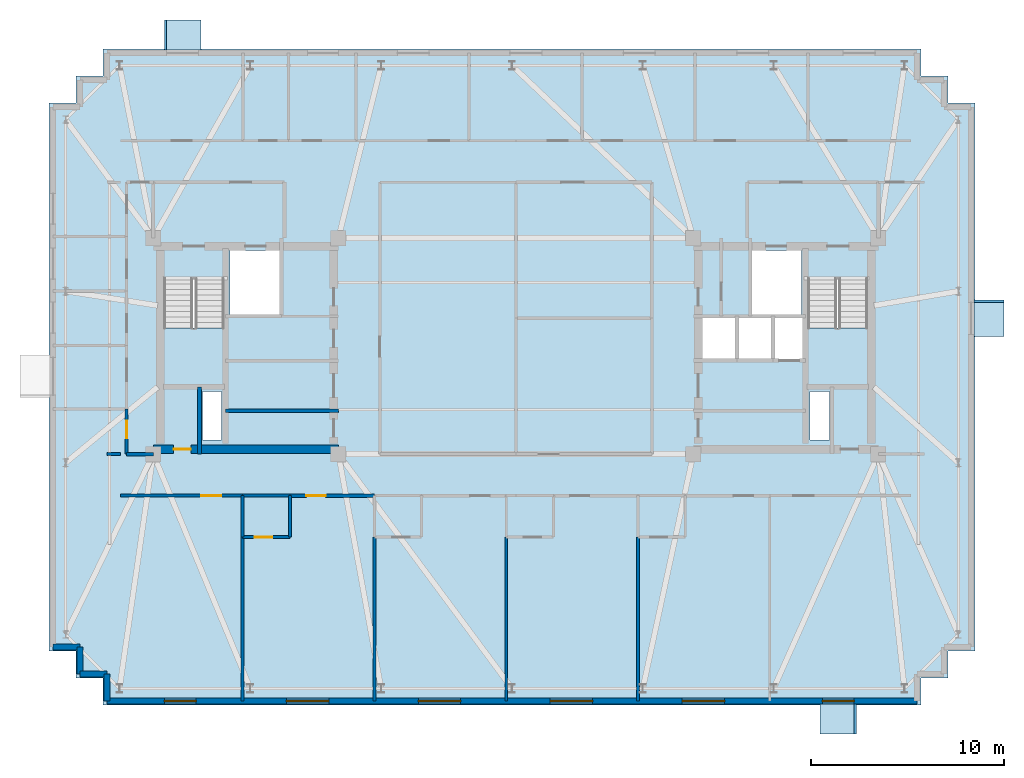
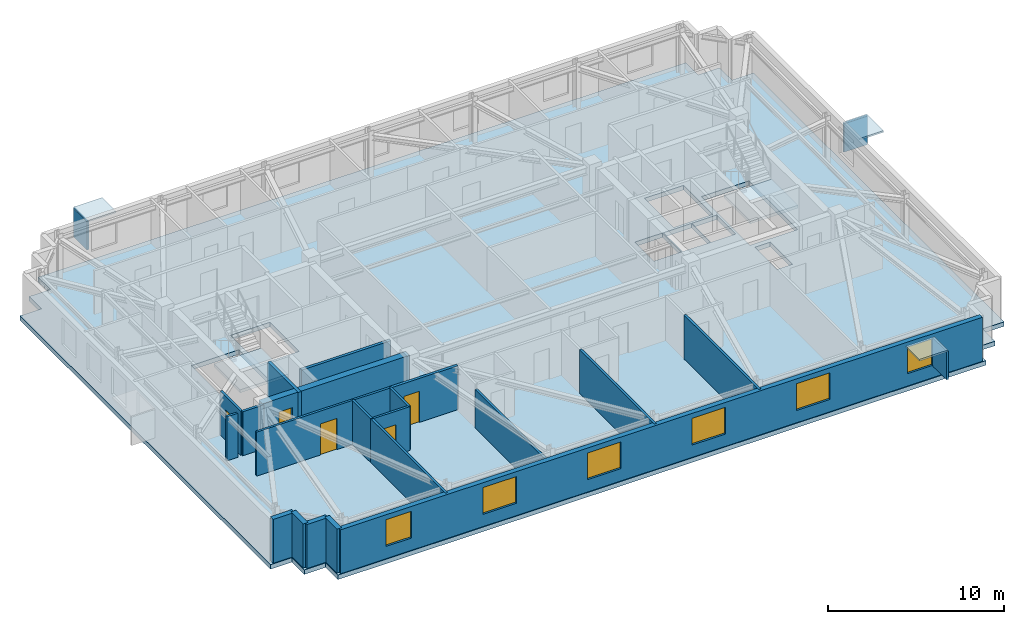
# One storey, part 5 of 11: 21 walls, 6 plates, 6 windows, 5 doors, 3 slabs, 11 openings, 2 elements without a shape of their own.
"""IFC4 building model written with IfcOpenShell, lengths in metres."""

from ifc_helpers import new_model, si_unit, direction, frame, frame_2d, origin, origin_2d, place, context, subcontext, project, spatial, polyline, rectangle, outline, extrude, material, layer, layer_set, type_object, element, fill, aggregate, save


model = new_model("IFC4")

# Units and contexts
model_context = context("Model", 3, precision=1e-05, world=origin(), true_north=direction((0.0, 1.0)))
body_context = subcontext(model_context, "Body", "Model", "MODEL_VIEW")
ifc_project = project(units=[si_unit("LENGTHUNIT", "METRE"), si_unit("AREAUNIT", "SQUARE_METRE"), si_unit("VOLUMEUNIT", "CUBIC_METRE"), si_unit("PLANEANGLEUNIT", "RADIAN"), si_unit("MASSUNIT", "GRAM", prefix="KILO")], contexts=[model_context])

# Site, building, storey
site_placement = place(None, origin())
site = spatial("IfcSite", under=ifc_project, at=site_placement, CompositionType="ELEMENT")
building_placement = place(site_placement, origin())
building = spatial("IfcBuilding", under=site, at=building_placement, Name="Qobustan Lattice House", CompositionType="ELEMENT")
storey_placement = place(building_placement, frame((0.0, 0.0, 245.050048828125)))
storey = spatial("IfcBuildingStorey", under=building, at=storey_placement, Name="L69", CompositionType="ELEMENT", Elevation=245.050048828125)

# Plates
ifc_material_1 = material(Name="Qobustan limestone GFRC", Category="masonry")
ifc_layer_1 = layer(ifc_material_1, 0.1201171875)
ifc_layer_set_1 = layer_set([ifc_layer_1], Name="Qobustan limestone GFRC")
plate_type = type_object("IfcPlateType", Name="SHD-HOOD-BROW", PredefinedType="USERDEFINED", material=ifc_layer_set_1)
plate_1_placement = place(storey_placement, frame((-17.280029296875, 16.1298828125, 2.699951171875), z_axis=(0.0, 0.0, 1.0), x_axis=(1.0, 0.0, 0.0)))
element("IfcPlate", 1, at=plate_1_placement, inside=storey, type_object=plate_type, Name="L69 splayed Qobustan stone hood brow", ObjectType="SUNSHADE", PredefinedType="USERDEFINED", context=body_context, shape_type="SweptSolid", body=[
    extrude(rectangle(XDim=1.889892578125, YDim=1.56005859375, at=origin_2d()), origin(), (0.0, 0.0, 1.0), 0.1201171875),
])
plate_2_placement = place(storey_placement, frame((-18.1650390625, 16.1298828125, 0.7900390625), z_axis=(0.0, 0.0, 1.0), x_axis=(1.0, 0.0, 0.0)))
element("IfcPlate", 2, at=plate_2_placement, inside=storey, type_object=plate_type, Name="L69 splayed Qobustan stone hood cheek", ObjectType="SUNSHADE", PredefinedType="USERDEFINED", context=body_context, shape_type="SweptSolid", body=[
    extrude(rectangle(XDim=0.1201171875, YDim=1.56005859375, at=origin_2d()), origin(), (0.0, 0.0, 1.0), 1.969970703125),
])
plate_3_placement = place(storey_placement, frame((24.530029296875, 1.43994140625, 2.699951171875), z_axis=(0.0, 0.0, 1.0), x_axis=(0.0, -1.0, 0.0)))
element("IfcPlate", 3, at=plate_3_placement, inside=storey, type_object=plate_type, Name="L69 splayed Qobustan stone hood brow", ObjectType="SUNSHADE", PredefinedType="USERDEFINED", context=body_context, shape_type="SweptSolid", body=[
    extrude(rectangle(XDim=1.889892578125, YDim=1.56005859375, at=origin_2d()), origin(), (0.0, 0.0, 1.0), 0.1201171875),
])
plate_4_placement = place(storey_placement, frame((24.530029296875, 2.324951171875, 0.7900390625), z_axis=(0.0, 0.0, 1.0), x_axis=(0.0, -1.0, 0.0)))
element("IfcPlate", 4, at=plate_4_placement, inside=storey, type_object=plate_type, Name="L69 splayed Qobustan stone hood cheek", ObjectType="SUNSHADE", PredefinedType="USERDEFINED", context=body_context, shape_type="SweptSolid", body=[
    extrude(rectangle(XDim=0.1201171875, YDim=1.56005859375, at=origin_2d()), origin(), (0.0, 0.0, 1.0), 1.969970703125),
])
plate_5_placement = place(storey_placement, frame((16.719970703125, -19.330078125, 2.699951171875), z_axis=(0.0, 0.0, 1.0), x_axis=(-1.0, 0.0, 0.0)))
element("IfcPlate", 5, at=plate_5_placement, inside=storey, type_object=plate_type, Name="L69 splayed Qobustan stone hood brow", ObjectType="SUNSHADE", PredefinedType="USERDEFINED", context=body_context, shape_type="SweptSolid", body=[
    extrude(rectangle(XDim=1.889892578125, YDim=1.56005859375, at=origin_2d()), origin(), (0.0, 0.0, 1.0), 0.1201171875),
])
plate_6_placement = place(storey_placement, frame((17.60498046875, -19.330078125, 0.7900390625), z_axis=(0.0, 0.0, 1.0), x_axis=(-1.0, 0.0, 0.0)))
element("IfcPlate", 6, at=plate_6_placement, inside=storey, type_object=plate_type, Name="L69 splayed Qobustan stone hood cheek", ObjectType="SUNSHADE", PredefinedType="USERDEFINED", context=body_context, shape_type="SweptSolid", body=[
    extrude(rectangle(XDim=0.1201171875, YDim=1.56005859375, at=origin_2d()), origin(), (0.0, 0.0, 1.0), 1.969970703125),
])

# Slab
ifc_material_2 = material(Name="Concrete C40/50", Category="concrete")
ifc_layer_2 = layer(ifc_material_2, 0.31005859375)
ifc_layer_set_2 = layer_set([ifc_layer_2], Name="Concrete C40/50")
slab_type_1 = type_object("IfcSlabType", Name="SLB-FLR-310", PredefinedType="FLOOR", material=ifc_layer_set_2)
slab_1_placement = place(storey_placement, frame((0.0, 0.0, -0.31005859375)))
element("IfcSlab", 7, at=slab_1_placement, inside=storey, type_object=slab_type_1, Name="L69 structural floor slab", PredefinedType="FLOOR", context=body_context, shape_type="SweptSolid", body=[
    extrude(outline(polyline([(-21.39990234375, -18.60009765625), (21.0, -18.60009765625), (21.0, -17.199951171875), (22.39990234375, -17.199951171875), (22.39990234375, -15.800048828125), (23.800048828125, -15.800048828125), (23.800048828125, 12.60009765625), (22.39990234375, 12.60009765625), (22.39990234375, 14.0), (21.0, 14.0), (21.0, 15.39990234375), (-21.39990234375, 15.39990234375), (-21.39990234375, 14.0), (-22.800048828125, 14.0), (-22.800048828125, 12.60009765625), (-24.199951171875, 12.60009765625), (-24.199951171875, -15.800048828125), (-22.800048828125, -15.800048828125), (-22.800048828125, -17.199951171875), (-21.39990234375, -17.199951171875), (-21.39990234375, -18.60009765625)]), holes=[polyline([(-18.25, -2.050048828125), (-18.25, 3.489990234375), (-15.1298828125, 3.489990234375), (-15.1298828125, -2.050048828125), (-18.25, -2.050048828125)]), polyline([(15.1298828125, -2.050048828125), (15.1298828125, 3.489990234375), (18.25, 3.489990234375), (18.25, -2.050048828125), (15.1298828125, -2.050048828125)]), polyline([(-14.820068359375, 1.64990234375), (-14.820068359375, 4.9599609375), (-12.25, 4.9599609375), (-12.25, 1.64990234375), (-14.820068359375, 1.64990234375)]), polyline([(12.25, 1.64990234375), (12.25, 4.9599609375), (14.820068359375, 4.9599609375), (14.820068359375, 1.64990234375), (12.25, 1.64990234375)]), polyline([(-16.260009765625, -4.8798828125), (-16.260009765625, -2.360107421875), (-15.260009765625, -2.360107421875), (-15.260009765625, -4.8798828125), (-16.260009765625, -4.8798828125)]), polyline([(15.260009765625, -4.8798828125), (15.260009765625, -2.360107421875), (16.260009765625, -2.360107421875), (16.260009765625, -4.8798828125), (15.260009765625, -4.8798828125)]), polyline([(13.360107421875, -0.679931640625), (13.360107421875, 1.47998046875), (14.97998046875, 1.47998046875), (14.97998046875, -0.679931640625), (13.360107421875, -0.679931640625)]), polyline([(9.6201171875, -0.679931640625), (9.6201171875, 1.47998046875), (11.43994140625, 1.47998046875), (11.43994140625, -0.679931640625), (9.6201171875, -0.679931640625)]), polyline([(11.5, -0.679931640625), (11.5, 1.47998046875), (13.320068359375, 1.47998046875), (13.320068359375, -0.679931640625), (11.5, -0.679931640625)])]), origin(), (0.0, 0.0, 1.0), 0.31005859375),
])

# Stair, slab
ifc_material_3 = material(Name="Concrete C40/50", Category="concrete")
stair_type = type_object("IfcStairType", Name="STR-CORE-DOGLEG", PredefinedType="HALF_TURN_STAIR", material=ifc_material_3)
stair_1_placement = place(storey_placement, origin())
stair_1 = element("IfcStair", 8, at=stair_1_placement, inside=storey, type_object=stair_type, Name="L69 West protected exit stair ST-W1", PredefinedType="HALF_TURN_STAIR")
ifc_material_4 = material(Name="Concrete C40/50", Category="concrete")
ifc_layer_3 = layer(ifc_material_4, 0.199951171875)
ifc_layer_set_3 = layer_set([ifc_layer_3], Name="Concrete C40/50")
slab_type_2 = type_object("IfcSlabType", Name="SLB-LANDING-200", PredefinedType="LANDING", material=ifc_layer_set_3)
slab_2_placement = place(storey_placement, frame((0.0, 0.0, 1.474853515625)))
slab_2 = element("IfcSlab", 9, at=slab_2_placement, type_object=slab_type_2, Name="ST-W1 landing 1", PredefinedType="LANDING", context=body_context, shape_type="SweptSolid", body=[
    extrude(outline(polyline([(-18.25, 0.93505859375), (-18.25, -2.050048828125), (-15.1298828125, -2.050048828125), (-15.1298828125, 0.93505859375), (-18.25, 0.93505859375)])), origin(), (0.0, 0.0, 1.0), 0.2001953125),
])
aggregate(stair_1, [slab_2])

stair_2_placement = place(storey_placement, origin())
stair_2 = element("IfcStair", 10, at=stair_2_placement, inside=storey, type_object=stair_type, Name="L69 East protected exit stair ST-E1", PredefinedType="HALF_TURN_STAIR")
slab_3_placement = place(storey_placement, frame((0.0, 0.0, 1.474853515625)))
slab_3 = element("IfcSlab", 11, at=slab_3_placement, type_object=slab_type_2, Name="ST-E1 landing 1", PredefinedType="LANDING", context=body_context, shape_type="SweptSolid", body=[
    extrude(outline(polyline([(15.1298828125, 0.93505859375), (15.1298828125, -2.050048828125), (18.25, -2.050048828125), (18.25, 0.93505859375), (15.1298828125, 0.93505859375)])), origin(), (0.0, 0.0, 1.0), 0.2001953125),
])
aggregate(stair_2, [slab_3])

# Wall, opening, door
ifc_material_5 = material(Name="Concrete C50/60", Category="concrete")
ifc_layer_4 = layer(ifc_material_5, 0.43994140625)
ifc_layer_set_4 = layer_set([ifc_layer_4], Name="Concrete C50/60")
wall_type_1 = type_object("IfcWallType", Name="WAL-CORE-440", PredefinedType="SHEAR", material=ifc_layer_set_4)
wall_1_placement = place(storey_placement, frame((-18.800048828125, -5.35009765625, 0.0), z_axis=(0.0, 0.0, 1.0), x_axis=(1.0, 0.0, 0.0)))
wall_1 = element("IfcWall", 12, at=wall_1_placement, inside=storey, type_object=wall_type_1, Name="L69 split-core shear wall CW-S", PredefinedType="SHEAR", context=body_context, shape_type="SweptSolid", body=[
    extrude(rectangle(XDim=9.60009765625, YDim=0.43994140625, at=frame_2d((4.800048828125, 0.0))), origin(), (0.0, 0.0, 1.0), 3.0400390625),
])
opening_1_placement = place(wall_1_placement, frame((1.050048828125, 0.0, 0.0)))
opening_1 = element("IfcOpeningElement", 13, at=opening_1_placement, cuts=wall_1, Name="Opening RD-01", PredefinedType="OPENING", context=body_context, shape_type="SweptSolid", body=[
    extrude(rectangle(XDim=0.89990234375, YDim=2.10009765625, at=frame_2d((0.449951171875, 1.050048828125))), frame((0.0, 0.22998046875, 0.0), z_axis=(0.0, -1.0, 0.0), x_axis=(1.0, 0.0, 0.0)), (0.0, 0.0, 1.0), 0.4599609375),
])
ifc_material_6 = material(Name="Persian walnut timber and steel frame door", Category="steel")
door_type_1 = type_object("IfcDoorType", Name="DOR-RISER-FD-900x2100", OperationType="NOTDEFINED", PredefinedType="DOOR", material=ifc_material_6)
door_1_placement = place(opening_1_placement, origin())
door_1 = element("IfcDoor", 14, at=door_1_placement, inside=storey, type_object=door_type_1, Name="L69 core service riser access door W", OperationType="SINGLE_SWING_RIGHT", OverallHeight=2.10009765625, OverallWidth=0.89990234375, PredefinedType="DOOR", context=body_context, shape_type="SweptSolid", body=[
    extrude(rectangle(XDim=0.89990234375, YDim=2.10009765625, at=frame_2d((0.449951171875, 1.050048828125))), frame((0.0, 0.02490234375, 0.0), z_axis=(0.0, -1.0, 0.0), x_axis=(1.0, 0.0, 0.0)), (0.0, 0.0, 1.0), 0.050048828125),
])
fill(opening_1, door_1)

# Walls
ifc_material_7 = material(Name="Precast concrete C40/50", Category="concrete")
ifc_layer_5 = layer(ifc_material_7, 0.320068359375)
ifc_layer_set_5 = layer_set([ifc_layer_5], Name="Precast concrete C40/50")
wall_type_2 = type_object("IfcWallType", Name="WAL-EXT-STONE-320", PredefinedType="SOLIDWALL", material=ifc_layer_set_5)
wall_2_placement = place(storey_placement, frame((-21.199951171875, -18.39990234375, 0.0), z_axis=(0.0, 0.0, 1.0), x_axis=(0.0, 1.0, 0.0)))
element("IfcWall", 15, at=wall_2_placement, inside=storey, type_object=wall_type_2, Name="L69 exterior limestone-clad wall 1", PredefinedType="SOLIDWALL", context=body_context, shape_type="SweptSolid", body=[
    extrude(rectangle(XDim=1.39990234375, YDim=0.320068359375, at=frame_2d((0.699951171875, 0.0))), origin(), (0.0, 0.0, 1.0), 3.0400390625),
])
wall_3_placement = place(storey_placement, frame((-21.199951171875, -17.0, 0.0), z_axis=(0.0, 0.0, 1.0), x_axis=(-1.0, 0.0, 0.0)))
element("IfcWall", 16, at=wall_3_placement, inside=storey, type_object=wall_type_2, Name="L69 exterior limestone-clad wall 2", PredefinedType="SOLIDWALL", context=body_context, shape_type="SweptSolid", body=[
    extrude(rectangle(XDim=1.400146484375, YDim=0.320068359375, at=frame_2d((0.7001953125, 0.0))), origin(), (0.0, 0.0, 1.0), 3.0400390625),
])
for number, where, z_axis, x_axis, name in (
    (17, (-22.60009765625, -17.0, 0.0), (0.0, 0.0, 1.0), (0.0, 1.0, 0.0), "L69 exterior limestone-clad wall 3"),
    (18, (-22.60009765625, -15.60009765625, 0.0), (0.0, 0.0, 1.0), (-1.0, 0.0, 0.0), "L69 exterior limestone-clad wall 4"),
):
    element("IfcWall", number, at=place(storey_placement, frame(where, z_axis=z_axis, x_axis=x_axis)), inside=storey, type_object=wall_type_2, Name=name, PredefinedType="SOLIDWALL", context=body_context, shape_type="SweptSolid", body=[
        extrude(rectangle(XDim=1.39990234375, YDim=0.320068359375, at=frame_2d((0.699951171875, 0.0))), origin(), (0.0, 0.0, 1.0), 3.0400390625),
    ])

# Wall, openings, windows
wall_4_placement = place(storey_placement, frame((20.800048828125, -18.39990234375, 0.0), z_axis=(0.0, 0.0, 1.0), x_axis=(-1.0, 0.0, 0.0)))
wall_4 = element("IfcWall", 19, at=wall_4_placement, inside=storey, type_object=wall_type_2, Name="L69 exterior limestone-clad wall 20", PredefinedType="SOLIDWALL", context=body_context, shape_type="SweptSolid", body=[
    extrude(rectangle(XDim=42.0, YDim=0.320068359375, at=frame_2d((21.0, 0.0))), origin(), (0.0, 0.0, 1.0), 3.0400390625),
])
opening_2_placement = place(wall_4_placement, frame((3.2548828125, 0.0, 0.85009765625)))
opening_2 = element("IfcOpeningElement", 20, at=opening_2_placement, cuts=wall_4, Name="Opening WN-09", PredefinedType="OPENING", context=body_context, shape_type="SweptSolid", body=[
    extrude(rectangle(XDim=1.64990234375, YDim=1.85009765625, at=frame_2d((0.824951171875, 0.925048828125))), frame((0.0, 0.169921875, 0.0), z_axis=(0.0, -1.0, 0.0), x_axis=(1.0, 0.0, 0.0)), (0.0, 0.0, 1.0), 0.340087890625),
])
opening_3_placement = place(wall_4_placement, frame((9.97998046875, 0.0, 0.85009765625)))
opening_3 = element("IfcOpeningElement", 21, at=opening_3_placement, cuts=wall_4, Name="Opening WN-03", PredefinedType="OPENING", context=body_context, shape_type="SweptSolid", body=[
    extrude(rectangle(XDim=2.199951171875, YDim=1.85009765625, at=frame_2d((1.10009765625, 0.925048828125))), frame((0.0, 0.169921875, 0.0), z_axis=(0.0, -1.0, 0.0), x_axis=(1.0, 0.0, 0.0)), (0.0, 0.0, 1.0), 0.340087890625),
])
opening_4_placement = place(wall_4_placement, frame((16.820068359375, 0.0, 0.85009765625)))
opening_4 = element("IfcOpeningElement", 22, at=opening_4_placement, cuts=wall_4, Name="Opening WN-03", PredefinedType="OPENING", context=body_context, shape_type="SweptSolid", body=[
    extrude(rectangle(XDim=2.199951171875, YDim=1.85009765625, at=frame_2d((1.10009765625, 0.925048828125))), frame((0.0, 0.169921875, 0.0), z_axis=(0.0, -1.0, 0.0), x_axis=(1.0, 0.0, 0.0)), (0.0, 0.0, 1.0), 0.340087890625),
])
opening_5_placement = place(wall_4_placement, frame((23.659912109375, 0.0, 0.85009765625)))
opening_5 = element("IfcOpeningElement", 23, at=opening_5_placement, cuts=wall_4, Name="Opening WN-03", PredefinedType="OPENING", context=body_context, shape_type="SweptSolid", body=[
    extrude(rectangle(XDim=2.199951171875, YDim=1.85009765625, at=frame_2d((1.10009765625, 0.925048828125))), frame((0.0, 0.169921875, 0.0), z_axis=(0.0, -1.0, 0.0), x_axis=(1.0, 0.0, 0.0)), (0.0, 0.0, 1.0), 0.340087890625),
])
opening_6_placement = place(wall_4_placement, frame((30.5, 0.0, 0.85009765625)))
opening_6 = element("IfcOpeningElement", 24, at=opening_6_placement, cuts=wall_4, Name="Opening WN-03", PredefinedType="OPENING", context=body_context, shape_type="SweptSolid", body=[
    extrude(rectangle(XDim=2.199951171875, YDim=1.85009765625, at=frame_2d((1.10009765625, 0.925048828125))), frame((0.0, 0.169921875, 0.0), z_axis=(0.0, -1.0, 0.0), x_axis=(1.0, 0.0, 0.0)), (0.0, 0.0, 1.0), 0.340087890625),
])
opening_7_placement = place(wall_4_placement, frame((37.375, 0.0, 0.85009765625)))
opening_7 = element("IfcOpeningElement", 25, at=opening_7_placement, cuts=wall_4, Name="Opening WN-09", PredefinedType="OPENING", context=body_context, shape_type="SweptSolid", body=[
    extrude(rectangle(XDim=1.64990234375, YDim=1.85009765625, at=frame_2d((0.824951171875, 0.925048828125))), frame((0.0, 0.169921875, 0.0), z_axis=(0.0, -1.0, 0.0), x_axis=(1.0, 0.0, 0.0)), (0.0, 0.0, 1.0), 0.340087890625),
])
ifc_material_8 = material(Name="Double-glazed low-E aluminium window", Category="aluminium")
window_type_1 = type_object("IfcWindowType", Name="WIN-STU-1650x1850", PartitioningType="SINGLE_PANEL", PredefinedType="WINDOW", material=ifc_material_8)
window_1_placement = place(opening_2_placement, origin())
window_1 = element("IfcWindow", 26, at=window_1_placement, inside=storey, type_object=window_type_1, Name="L69 Group study room window", OverallHeight=1.85009765625, OverallWidth=1.64990234375, PartitioningType="SINGLE_PANEL", PredefinedType="WINDOW", context=body_context, shape_type="SweptSolid", body=[
    extrude(rectangle(XDim=1.64990234375, YDim=1.85009765625, at=frame_2d((0.824951171875, 0.925048828125))), frame((0.0, 0.030029296875, 0.0), z_axis=(0.0, -1.0, 0.0), x_axis=(1.0, 0.0, 0.0)), (0.0, 0.0, 1.0), 0.06005859375),
])
fill(opening_2, window_1)
window_2_placement = place(opening_7_placement, origin())
window_2 = element("IfcWindow", 27, at=window_2_placement, inside=storey, type_object=window_type_1, Name="L69 Focus study room S1 window", OverallHeight=1.85009765625, OverallWidth=1.64990234375, PartitioningType="SINGLE_PANEL", PredefinedType="WINDOW", context=body_context, shape_type="SweptSolid", body=[
    extrude(rectangle(XDim=1.64990234375, YDim=1.85009765625, at=frame_2d((0.824951171875, 0.925048828125))), frame((0.0, 0.030029296875, 0.0), z_axis=(0.0, -1.0, 0.0), x_axis=(1.0, 0.0, 0.0)), (0.0, 0.0, 1.0), 0.06005859375),
])
fill(opening_7, window_2)
ifc_material_9 = material(Name="Double-glazed low-E aluminium window", Category="aluminium")
window_type_2 = type_object("IfcWindowType", Name="WIN-WIDE-2200x1850", PartitioningType="SINGLE_PANEL", PredefinedType="WINDOW", material=ifc_material_9)
window_3_placement = place(opening_3_placement, origin())
window_3 = element("IfcWindow", 28, at=window_3_placement, inside=storey, type_object=window_type_2, Name="L69 Kitchenette and studio apartment L69-S5 window", OverallHeight=1.85009765625, OverallWidth=2.199951171875, PartitioningType="SINGLE_PANEL", PredefinedType="WINDOW", context=body_context, shape_type="SweptSolid", body=[
    extrude(rectangle(XDim=2.199951171875, YDim=1.85009765625, at=frame_2d((1.10009765625, 0.925048828125))), frame((0.0, 0.030029296875, 0.0), z_axis=(0.0, -1.0, 0.0), x_axis=(1.0, 0.0, 0.0)), (0.0, 0.0, 1.0), 0.06005859375),
])
fill(opening_3, window_3)
window_4_placement = place(opening_4_placement, origin())
window_4 = element("IfcWindow", 29, at=window_4_placement, inside=storey, type_object=window_type_2, Name="L69 Kitchenette and studio apartment L69-S4 window", OverallHeight=1.85009765625, OverallWidth=2.199951171875, PartitioningType="SINGLE_PANEL", PredefinedType="WINDOW", context=body_context, shape_type="SweptSolid", body=[
    extrude(rectangle(XDim=2.199951171875, YDim=1.85009765625, at=frame_2d((1.10009765625, 0.925048828125))), frame((0.0, 0.030029296875, 0.0), z_axis=(0.0, -1.0, 0.0), x_axis=(1.0, 0.0, 0.0)), (0.0, 0.0, 1.0), 0.06005859375),
])
fill(opening_4, window_4)
window_5_placement = place(opening_5_placement, origin())
window_5 = element("IfcWindow", 30, at=window_5_placement, inside=storey, type_object=window_type_2, Name="L69 Kitchenette and studio apartment L69-S3 window", OverallHeight=1.85009765625, OverallWidth=2.199951171875, PartitioningType="SINGLE_PANEL", PredefinedType="WINDOW", context=body_context, shape_type="SweptSolid", body=[
    extrude(rectangle(XDim=2.199951171875, YDim=1.85009765625, at=frame_2d((1.10009765625, 0.925048828125))), frame((0.0, 0.030029296875, 0.0), z_axis=(0.0, -1.0, 0.0), x_axis=(1.0, 0.0, 0.0)), (0.0, 0.0, 1.0), 0.06005859375),
])
fill(opening_5, window_5)
window_6_placement = place(opening_6_placement, origin())
window_6 = element("IfcWindow", 31, at=window_6_placement, inside=storey, type_object=window_type_2, Name="L69 Kitchenette and studio apartment L69-S2 window", OverallHeight=1.85009765625, OverallWidth=2.199951171875, PartitioningType="SINGLE_PANEL", PredefinedType="WINDOW", context=body_context, shape_type="SweptSolid", body=[
    extrude(rectangle(XDim=2.199951171875, YDim=1.85009765625, at=frame_2d((1.10009765625, 0.925048828125))), frame((0.0, 0.030029296875, 0.0), z_axis=(0.0, -1.0, 0.0), x_axis=(1.0, 0.0, 0.0)), (0.0, 0.0, 1.0), 0.06005859375),
])
fill(opening_6, window_6)

# Walls
ifc_material_10 = material(Name="Gypsum fireboard acoustic partition", Category="gypsum")
ifc_layer_6 = layer(ifc_material_10, 0.179931640625)
ifc_layer_set_6 = layer_set([ifc_layer_6], Name="Gypsum fireboard acoustic partition")
wall_type_3 = type_object("IfcWallType", Name="WAL-FIRE-180", PredefinedType="PARTITIONING", material=ifc_layer_set_6)
wall_5_placement = place(storey_placement, frame((-15.050048828125, -3.35009765625, 0.0), z_axis=(0.0, 0.0, 1.0), x_axis=(1.0, 0.0, 0.0)))
element("IfcWall", 32, at=wall_5_placement, inside=storey, type_object=wall_type_3, Name="L69 interior partition 8", PredefinedType="PARTITIONING", context=body_context, shape_type="SweptSolid", body=[
    extrude(rectangle(XDim=5.85009765625, YDim=0.179931640625, at=frame_2d((2.925048828125, 0.0))), origin(), (0.0, 0.0, 1.0), 2.7548828125),
])
wall_6_placement = place(storey_placement, frame((-20.179931640625, -5.60009765625, 0.0), z_axis=(0.0, 0.0, 1.0), x_axis=(1.0, 0.0, 0.0)))
element("IfcWall", 33, at=wall_6_placement, inside=storey, type_object=wall_type_3, Name="L69 interior partition 43", PredefinedType="PARTITIONING", context=body_context, shape_type="SweptSolid", body=[
    extrude(rectangle(XDim=1.3798828125, YDim=0.179931640625, at=frame_2d((0.68994140625, 0.0))), origin(), (0.0, 0.0, 1.0), 3.0400390625),
])

# Wall, opening, door
wall_7_placement = place(storey_placement, frame((-7.3330078125, -7.75, 0.0), z_axis=(0.0, 0.0, 1.0), x_axis=(-1.0, 0.0, 0.0)))
wall_7 = element("IfcWall", 34, at=wall_7_placement, inside=storey, type_object=wall_type_3, Name="L69 interior partition 46", PredefinedType="PARTITIONING", context=body_context, shape_type="SweptSolid", body=[
    extrude(rectangle(XDim=4.384033203125, YDim=0.179931640625, at=frame_2d((2.19189453125, 0.0))), origin(), (0.0, 0.0, 1.0), 3.0400390625),
])
opening_8_placement = place(wall_7_placement, frame((2.52587890625, 0.0, 0.0)))
opening_8 = element("IfcOpeningElement", 35, at=opening_8_placement, cuts=wall_7, Name="Opening FD-02", PredefinedType="OPENING", context=body_context, shape_type="SweptSolid", body=[
    extrude(rectangle(XDim=1.0, YDim=2.14990234375, at=frame_2d((0.5, 1.074951171875))), frame((0.0, 0.099853515625, 0.0), z_axis=(0.0, -1.0, 0.0), x_axis=(1.0, 0.0, 0.0)), (0.0, 0.0, 1.0), 0.199951171875),
])
ifc_material_11 = material(Name="Persian walnut timber and steel frame door", Category="steel")
door_type_2 = type_object("IfcDoorType", Name="DOR-UNIT-FD-1000x2150", OperationType="NOTDEFINED", PredefinedType="DOOR", material=ifc_material_11)
door_2_placement = place(opening_8_placement, origin())
door_2 = element("IfcDoor", 36, at=door_2_placement, inside=storey, type_object=door_type_2, Name="L69 South-west floor corridor to Kitchenette and studio apartment L69-S2 door", OperationType="SINGLE_SWING_RIGHT", OverallHeight=2.14990234375, OverallWidth=1.0, PredefinedType="DOOR", context=body_context, shape_type="SweptSolid", body=[
    extrude(rectangle(XDim=1.0, YDim=2.14990234375, at=frame_2d((0.5, 1.074951171875))), frame((0.0, 0.02490234375, 0.0), z_axis=(0.0, -1.0, 0.0), x_axis=(1.0, 0.0, 0.0)), (0.0, 0.0, 1.0), 0.050048828125),
])
fill(opening_8, door_2)

ifc_material_12 = material(Name="Acoustic twin-stud gypsum partition", Category="gypsum")
ifc_layer_7 = layer(ifc_material_12, 0.14990234375)
ifc_layer_set_7 = layer_set([ifc_layer_7], Name="Acoustic twin-stud gypsum partition")
wall_type_4 = type_object("IfcWallType", Name="WAL-PART-150", PredefinedType="PARTITIONING", material=ifc_layer_set_7)
wall_8_placement = place(storey_placement, frame((-14.1669921875, -7.75, 0.0), z_axis=(0.0, 0.0, 1.0), x_axis=(-1.0, 0.0, 0.0)))
wall_8 = element("IfcWall", 37, at=wall_8_placement, inside=storey, type_object=wall_type_4, Name="L69 interior partition 45", PredefinedType="PARTITIONING", context=body_context, shape_type="SweptSolid", body=[
    extrude(rectangle(XDim=6.3330078125, YDim=0.14990234375, at=frame_2d((3.16650390625, 0.0))), origin(), (0.0, 0.0, 1.0), 3.0400390625),
])
opening_9_placement = place(wall_8_placement, frame((1.095458984375, 0.0, 0.0)))
opening_9 = element("IfcOpeningElement", 38, at=opening_9_placement, cuts=wall_8, Name="Opening ID-02", PredefinedType="OPENING", context=body_context, shape_type="SweptSolid", body=[
    extrude(rectangle(XDim=1.050048828125, YDim=2.14990234375, at=frame_2d((0.52490234375, 1.074951171875))), frame((0.0, 0.0849609375, 0.0), z_axis=(0.0, -1.0, 0.0), x_axis=(1.0, 0.0, 0.0)), (0.0, 0.0, 1.0), 0.169921875),
])
ifc_material_13 = material(Name="Persian walnut timber and steel frame door", Category="steel")
door_type_3 = type_object("IfcDoorType", Name="DOR-STUDY-1050x2150", OperationType="NOTDEFINED", PredefinedType="DOOR", material=ifc_material_13)
door_3_placement = place(opening_9_placement, origin())
door_3 = element("IfcDoor", 39, at=door_3_placement, inside=storey, type_object=door_type_3, Name="L69 South-west floor corridor to Focus study room S1 door", OperationType="SINGLE_SWING_LEFT", OverallHeight=2.14990234375, OverallWidth=1.050048828125, PredefinedType="DOOR", context=body_context, shape_type="SweptSolid", body=[
    extrude(rectangle(XDim=1.050048828125, YDim=2.14990234375, at=frame_2d((0.52490234375, 1.074951171875))), frame((0.0, 0.02490234375, 0.0), z_axis=(0.0, -1.0, 0.0), x_axis=(1.0, 0.0, 0.0)), (0.0, 0.0, 1.0), 0.050048828125),
])
fill(opening_9, door_3)

# Walls
wall_9_placement = place(storey_placement, frame((-14.1669921875, -9.89990234375, 0.0), z_axis=(0.0, 0.0, 1.0), x_axis=(0.0, -1.0, 0.0)))
element("IfcWall", 40, at=wall_9_placement, inside=storey, type_object=wall_type_4, Name="L69 interior partition 79", PredefinedType="PARTITIONING", context=body_context, shape_type="SweptSolid", body=[
    extrude(rectangle(XDim=8.5, YDim=0.14990234375, at=frame_2d((4.25, 0.0))), origin(), (0.0, 0.0, 1.0), 3.0400390625),
])
wall_10_placement = place(storey_placement, frame((-7.3330078125, -9.89990234375, 0.0), z_axis=(0.0, 0.0, 1.0), x_axis=(0.0, -1.0, 0.0)))
element("IfcWall", 41, at=wall_10_placement, inside=storey, type_object=wall_type_4, Name="L69 interior partition 83", PredefinedType="PARTITIONING", context=body_context, shape_type="SweptSolid", body=[
    extrude(rectangle(XDim=8.5, YDim=0.14990234375, at=frame_2d((4.25, 0.0))), origin(), (0.0, 0.0, 1.0), 2.6650390625),
])
for number, where, z_axis, x_axis, name in (
    (42, (-0.5, -9.89990234375, 0.0), (0.0, 0.0, 1.0), (0.0, -1.0, 0.0), "L69 interior partition 87"),
    (43, (6.3330078125, -9.89990234375, 0.0), (0.0, 0.0, 1.0), (0.0, -1.0, 0.0), "L69 interior partition 91"),
):
    element("IfcWall", number, at=place(storey_placement, frame(where, z_axis=z_axis, x_axis=x_axis)), inside=storey, type_object=wall_type_4, Name=name, PredefinedType="PARTITIONING", context=body_context, shape_type="SweptSolid", body=[
        extrude(rectangle(XDim=8.5, YDim=0.14990234375, at=frame_2d((4.25, 0.0))), origin(), (0.0, 0.0, 1.0), 3.0400390625),
    ])
ifc_material_14 = material(Name="Concrete C40/50", Category="concrete")
ifc_layer_8 = layer(ifc_material_14, 0.199951171875)
ifc_layer_set_8 = layer_set([ifc_layer_8], Name="Concrete C40/50")
wall_type_5 = type_object("IfcWallType", Name="WAL-SHAFT-200", PredefinedType="PARTITIONING", material=ifc_layer_set_8)
wall_11_placement = place(storey_placement, frame((-16.39990234375, -5.60009765625, 0.0), z_axis=(0.0, 0.0, 1.0), x_axis=(0.0, 1.0, 0.0)))
element("IfcWall", 44, at=wall_11_placement, inside=storey, type_object=wall_type_5, Name="L69 interior partition 1", PredefinedType="PARTITIONING", context=body_context, shape_type="SweptSolid", body=[
    extrude(rectangle(XDim=3.489990234375, YDim=0.199951171875, at=frame_2d((1.7451171875, 0.0))), origin(), (0.0, 0.0, 1.0), 3.0400390625),
])
ifc_material_15 = material(Name="Moisture-resistant acoustic plumbing wall", Category="gypsum")
ifc_layer_9 = layer(ifc_material_15, 0.14990234375)
ifc_layer_set_9 = layer_set([ifc_layer_9], Name="Moisture-resistant acoustic plumbing wall")
wall_type_6 = type_object("IfcWallType", Name="WAL-WET-150", PredefinedType="PLUMBINGWALL", material=ifc_layer_set_9)
wall_12_placement = place(storey_placement, frame((-21.199951171875, -5.60009765625, 0.0), z_axis=(0.0, 0.0, 1.0), x_axis=(1.0, 0.0, 0.0)))
element("IfcWall", 45, at=wall_12_placement, inside=storey, type_object=wall_type_6, Name="L69 interior partition 44", PredefinedType="PLUMBINGWALL", context=body_context, shape_type="SweptSolid", body=[
    extrude(rectangle(XDim=0.699951171875, YDim=0.14990234375, at=frame_2d((0.35009765625, 0.0))), origin(), (0.0, 0.0, 1.0), 3.0400390625),
])
wall_13_placement = place(storey_placement, frame((-11.717041015625, -7.75, 0.0), z_axis=(0.0, 0.0, 1.0), x_axis=(-1.0, 0.0, 0.0)))
element("IfcWall", 46, at=wall_13_placement, inside=storey, type_object=wall_type_6, Name="L69 interior partition 47", PredefinedType="PLUMBINGWALL", context=body_context, shape_type="SweptSolid", body=[
    extrude(rectangle(XDim=2.449951171875, YDim=0.14990234375, at=frame_2d((1.22509765625, 0.0))), origin(), (0.0, 0.0, 1.0), 3.0400390625),
])

# Wall, opening, door
wall_14_placement = place(storey_placement, frame((-20.179931640625, -5.60009765625, 0.0), z_axis=(0.0, 0.0, 1.0), x_axis=(0.0, 1.0, 0.0)))
wall_14 = element("IfcWall", 47, at=wall_14_placement, inside=storey, type_object=wall_type_6, Name="L69 interior partition 63", PredefinedType="PLUMBINGWALL", context=body_context, shape_type="SweptSolid", body=[
    extrude(rectangle(XDim=2.35009765625, YDim=0.14990234375, at=frame_2d((1.175048828125, 0.0))), origin(), (0.0, 0.0, 1.0), 3.0400390625),
])
opening_10_placement = place(wall_14_placement, frame((0.833740234375, 0.0, 0.0)))
opening_10 = element("IfcOpeningElement", 48, at=opening_10_placement, cuts=wall_14, Name="Opening WD-01", PredefinedType="OPENING", context=body_context, shape_type="SweptSolid", body=[
    extrude(rectangle(XDim=0.89990234375, YDim=2.10009765625, at=frame_2d((0.449951171875, 1.050048828125))), frame((0.0, 0.0849609375, 0.0), z_axis=(0.0, -1.0, 0.0), x_axis=(1.0, 0.0, 0.0)), (0.0, 0.0, 1.0), 0.169921875),
])
ifc_material_16 = material(Name="Persian walnut timber and steel frame door", Category="steel")
door_type_4 = type_object("IfcDoorType", Name="DOR-WET-900x2100", OperationType="NOTDEFINED", PredefinedType="DOOR", material=ifc_material_16)
door_4_placement = place(opening_10_placement, origin())
door_4 = element("IfcDoor", 49, at=door_4_placement, inside=storey, type_object=door_type_4, Name="L69 Residence entrance hall L69W to Shared bathroom L69W door", OperationType="SINGLE_SWING_LEFT", OverallHeight=2.10009765625, OverallWidth=0.89990234375, PredefinedType="DOOR", context=body_context, shape_type="SweptSolid", body=[
    extrude(rectangle(XDim=0.89990234375, YDim=2.10009765625, at=frame_2d((0.449951171875, 1.050048828125))), frame((0.0, 0.02490234375, 0.0), z_axis=(0.0, -1.0, 0.0), x_axis=(1.0, 0.0, 0.0)), (0.0, 0.0, 1.0), 0.050048828125),
])
fill(opening_10, door_4)

# Wall
wall_15_placement = place(storey_placement, frame((-14.1669921875, -7.75, 0.0), z_axis=(0.0, 0.0, 1.0), x_axis=(0.0, -1.0, 0.0)))
element("IfcWall", 50, at=wall_15_placement, inside=storey, type_object=wall_type_6, Name="L69 interior partition 80", PredefinedType="PLUMBINGWALL", context=body_context, shape_type="SweptSolid", body=[
    extrude(rectangle(XDim=2.14990234375, YDim=0.14990234375, at=frame_2d((1.074951171875, 0.0))), origin(), (0.0, 0.0, 1.0), 3.0400390625),
])

# Wall, opening, door
wall_16_placement = place(storey_placement, frame((-14.1669921875, -9.89990234375, 0.0), z_axis=(0.0, 0.0, 1.0), x_axis=(1.0, 0.0, 0.0)))
wall_16 = element("IfcWall", 51, at=wall_16_placement, inside=storey, type_object=wall_type_6, Name="L69 interior partition 81", PredefinedType="PLUMBINGWALL", context=body_context, shape_type="SweptSolid", body=[
    extrude(rectangle(XDim=2.449951171875, YDim=0.14990234375, at=frame_2d((1.22509765625, 0.0))), origin(), (0.0, 0.0, 1.0), 3.0400390625),
])
opening_11_placement = place(wall_16_placement, frame((0.628662109375, 0.0, 0.0)))
opening_11 = element("IfcOpeningElement", 52, at=opening_11_placement, cuts=wall_16, Name="Opening WD-01", PredefinedType="OPENING", context=body_context, shape_type="SweptSolid", body=[
    extrude(rectangle(XDim=0.89990234375, YDim=2.10009765625, at=frame_2d((0.449951171875, 1.050048828125))), frame((0.0, 0.0849609375, 0.0), z_axis=(0.0, -1.0, 0.0), x_axis=(1.0, 0.0, 0.0)), (0.0, 0.0, 1.0), 0.169921875),
])
door_5_placement = place(opening_11_placement, origin())
door_5 = element("IfcDoor", 53, at=door_5_placement, inside=storey, type_object=door_type_4, Name="L69 Kitchenette and studio apartment L69-S2 to En-suite bathroom L69-S2 door", OperationType="SINGLE_SWING_RIGHT", OverallHeight=2.10009765625, OverallWidth=0.89990234375, PredefinedType="DOOR", context=body_context, shape_type="SweptSolid", body=[
    extrude(rectangle(XDim=0.89990234375, YDim=2.10009765625, at=frame_2d((0.449951171875, 1.050048828125))), frame((0.0, 0.02490234375, 0.0), z_axis=(0.0, -1.0, 0.0), x_axis=(1.0, 0.0, 0.0)), (0.0, 0.0, 1.0), 0.050048828125),
])
fill(opening_11, door_5)

# Wall
wall_17_placement = place(storey_placement, frame((-11.717041015625, -9.89990234375, 0.0), z_axis=(0.0, 0.0, 1.0), x_axis=(0.0, 1.0, 0.0)))
element("IfcWall", 54, at=wall_17_placement, inside=storey, type_object=wall_type_6, Name="L69 interior partition 82", PredefinedType="PLUMBINGWALL", context=body_context, shape_type="SweptSolid", body=[
    extrude(rectangle(XDim=2.14990234375, YDim=0.14990234375, at=frame_2d((1.074951171875, 0.0))), origin(), (0.0, 0.0, 1.0), 3.0400390625),
])

save(model, "model.ifc")
